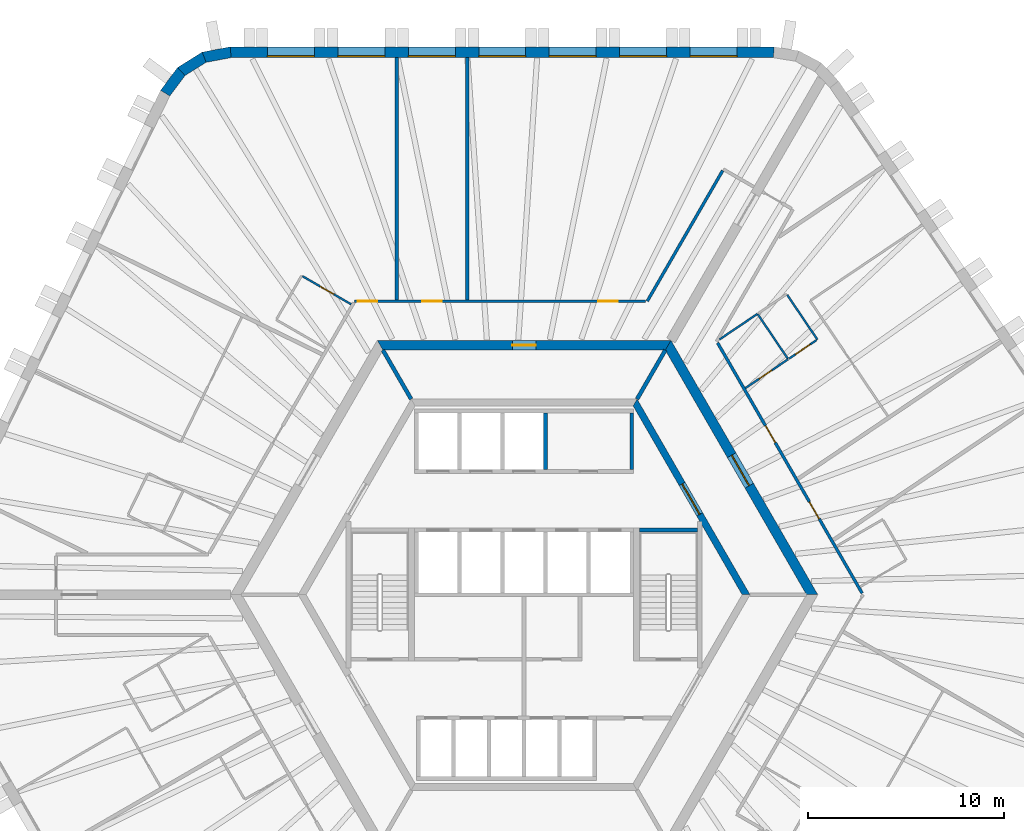
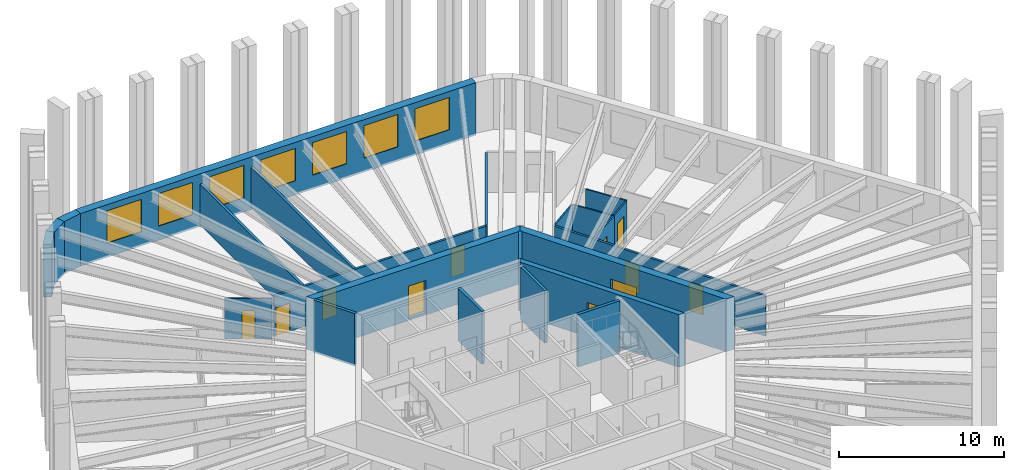
# One storey, part 8 of 10: 23 walls, 11 doors, 7 windows, 18 openings.
"""IFC4 building model written with IfcOpenShell, lengths in metres."""

from ifc_helpers import new_model, si_unit, direction, frame, frame_2d, origin, place, context, subcontext, project, spatial, polyline, rectangle, outline, extrude, material, layer, layer_set, type_object, element, fill, save


model = new_model("IFC4")

# Units and contexts
model_context = context("Model", 3, precision=1e-05, world=origin(), true_north=direction((0.0, 1.0)))
body_context = subcontext(model_context, "Body", "Model", "MODEL_VIEW")
ifc_project = project(units=[si_unit("LENGTHUNIT", "METRE"), si_unit("AREAUNIT", "SQUARE_METRE"), si_unit("VOLUMEUNIT", "CUBIC_METRE"), si_unit("PLANEANGLEUNIT", "RADIAN"), si_unit("MASSUNIT", "GRAM", prefix="KILO")], contexts=[model_context])

# Site, building, storey
site_placement = place(None, origin())
site = spatial("IfcSite", under=ifc_project, at=site_placement, CompositionType="ELEMENT")
building_placement = place(site_placement, origin())
building = spatial("IfcBuilding", under=site, at=building_placement, Name="Tarnside Tower", CompositionType="ELEMENT")
storey_placement = place(building_placement, frame((0.0, 0.0, 164.39990234375)))
storey = spatial("IfcBuildingStorey", under=building, at=storey_placement, Name="L38", CompositionType="ELEMENT", Elevation=164.39990234375)

# Wall, opening, door
ifc_material_1 = material(Name="Gypsum board partition on steel studs", Category="steel")
ifc_layer_1 = layer(ifc_material_1, 0.10009765625)
ifc_layer_set_1 = layer_set([ifc_layer_1], Name="Bathroom wall 100")
wall_type_1 = type_object("IfcWallType", Name="Bathroom wall 100", PredefinedType="PARTITIONING", material=ifc_layer_set_1)
wall_1_placement = place(storey_placement, frame((-11.32763671875, 16.280029296875, 0.0), z_axis=(0.0, 0.0, 1.0), x_axis=(0.865981939951, -0.500075274012, 0.0)))
wall_1 = element("IfcWall", 1, at=wall_1_placement, inside=storey, type_object=wall_type_1, Name="Bathroom wall 12049", PredefinedType="PARTITIONING", context=body_context, shape_type="SweptSolid", body=[
    extrude(rectangle(XDim=2.875, YDim=0.10009765625, at=frame_2d((1.4375, 0.0))), origin(), (0.0, 0.0, 1.0), 2.98779296875),
])
opening_1_placement = place(wall_1_placement, frame((1.050048828125, 0.0, 0.0)))
opening_1 = element("IfcOpeningElement", 2, at=opening_1_placement, cuts=wall_1, Name="Opening D-B1", PredefinedType="OPENING", context=body_context, shape_type="SweptSolid", body=[
    extrude(rectangle(XDim=0.800048828125, YDim=2.10009765625, at=frame_2d((0.39990234375, 1.050048828125))), frame((0.0, 0.06005859375, 0.0), z_axis=(0.0, -1.0, 0.0), x_axis=(1.0, 0.0, 0.0)), (0.0, 0.0, 1.0), 0.1201171875),
])
ifc_material_2 = material(Name="Timber door leaf", Category="wood")
door_type_1 = type_object("IfcDoorType", Name="Bathroom door 800", OperationType="NOTDEFINED", PredefinedType="DOOR", material=ifc_material_2)
door_1_placement = place(opening_1_placement, origin())
door_1 = element("IfcDoor", 3, at=door_1_placement, inside=storey, type_object=door_type_1, Name="Bathroom door 12004", OperationType="SINGLE_SWING_LEFT", OverallHeight=2.10009765625, OverallWidth=0.800048828125, PredefinedType="DOOR", context=body_context, shape_type="SweptSolid", body=[
    extrude(rectangle(XDim=0.800048828125, YDim=2.10009765625, at=frame_2d((0.39990234375, 1.050048828125))), frame((0.0, 0.02490234375, 0.0), z_axis=(0.0, -1.0, 0.0), x_axis=(1.0, 0.0, 0.0)), (0.0, 0.0, 1.0), 0.050048828125),
])
fill(opening_1, door_1)

# Wall
wall_2_placement = place(storey_placement, frame((9.985595703125, 13.045654296875, 0.0), z_axis=(0.0, 0.0, 1.0), x_axis=(0.829041811541, 0.559186618865, 0.0)))
element("IfcWall", 4, at=wall_2_placement, inside=storey, type_object=wall_type_1, Name="Bathroom wall 12105", PredefinedType="PARTITIONING", context=body_context, shape_type="SweptSolid", body=[
    extrude(rectangle(XDim=2.343994140625, YDim=0.10009765625, at=frame_2d((1.171875, 0.0))), origin(), (0.0, 0.0, 1.0), 2.98779296875),
])

# Wall, opening, door
wall_3_placement = place(storey_placement, frame((13.49462890625, 12.03515625, 0.0), z_axis=(0.0, 0.0, 1.0), x_axis=(-0.829031183816, -0.55920237505, 0.0)))
wall_3 = element("IfcWall", 5, at=wall_3_placement, inside=storey, type_object=wall_type_1, Name="Bathroom wall 12106", PredefinedType="PARTITIONING", context=body_context, shape_type="SweptSolid", body=[
    extrude(rectangle(XDim=2.6357421875, YDim=0.10009765625, at=frame_2d((1.31787109375, 0.0))), origin(), (0.0, 0.0, 1.0), 2.98779296875),
])
opening_2_placement = place(wall_3_placement, frame((1.0, 0.0, 0.0)))
opening_2 = element("IfcOpeningElement", 6, at=opening_2_placement, cuts=wall_3, Name="Opening D-B1", PredefinedType="OPENING", context=body_context, shape_type="SweptSolid", body=[
    extrude(rectangle(XDim=0.800048828125, YDim=2.10009765625, at=frame_2d((0.39990234375, 1.050048828125))), frame((0.0, 0.06005859375, 0.0), z_axis=(0.0, -1.0, 0.0), x_axis=(1.0, 0.0, 0.0)), (0.0, 0.0, 1.0), 0.1201171875),
])
door_2_placement = place(opening_2_placement, origin())
door_2 = element("IfcDoor", 7, at=door_2_placement, inside=storey, type_object=door_type_1, Name="Bathroom door 12032", OperationType="SINGLE_SWING_LEFT", OverallHeight=2.10009765625, OverallWidth=0.800048828125, PredefinedType="DOOR", context=body_context, shape_type="SweptSolid", body=[
    extrude(rectangle(XDim=0.800048828125, YDim=2.10009765625, at=frame_2d((0.39990234375, 1.050048828125))), frame((0.0, 0.02490234375, 0.0), z_axis=(0.0, -1.0, 0.0), x_axis=(1.0, 0.0, 0.0)), (0.0, 0.0, 1.0), 0.050048828125),
])
fill(opening_2, door_2)

# Wall
wall_4_placement = place(storey_placement, frame((13.466796875, 12.07666015625, 0.0), z_axis=(0.0, 0.0, 1.0), x_axis=(-0.559261631576, 0.828991210718, 0.0)))
element("IfcWall", 8, at=wall_4_placement, inside=storey, type_object=wall_type_1, Name="Bathroom wall 12113", PredefinedType="PARTITIONING", context=body_context, shape_type="SweptSolid", body=[
    extrude(rectangle(XDim=2.699951171875, YDim=0.10009765625, at=frame_2d((1.35009765625, 0.0))), origin(), (0.0, 0.0, 1.0), 2.98779296875),
])

# Wall, opening, door
ifc_material_3 = material(Name="Concrete C50/60", Category="concrete")
ifc_layer_2 = layer(ifc_material_3, 0.35009765625)
ifc_layer_set_2 = layer_set([ifc_layer_2], Name="Core block wall 350 C50/60")
wall_type_2 = type_object("IfcWallType", Name="Core block wall 350 C50/60", PredefinedType="SHEAR", material=ifc_layer_set_2)
wall_5_placement = place(storey_placement, frame((11.344970703125, 0.0, -0.14990234375), z_axis=(0.0, 0.0, 1.0), x_axis=(-0.499995046907, 0.866028263435, 0.0)))
wall_5 = element("IfcWall", 9, at=wall_5_placement, inside=storey, type_object=wall_type_2, Name="L38 core block wall face 6", PredefinedType="SHEAR", context=body_context, shape_type="SweptSolid", body=[
    extrude(outline(polyline([(-0.10107421875, -0.175048828125), (11.44580078125, -0.175048828125), (11.24365234375, 0.175048828125), (0.10107421875, 0.175048828125), (-0.10107421875, -0.175048828125)])), origin(), (0.0, 0.0, 1.0), 3.89990234375),
])
opening_3_placement = place(wall_5_placement, frame((4.74365234375, 0.0, 0.14990234375)))
opening_3 = element("IfcOpeningElement", 10, at=opening_3_placement, cuts=wall_5, Name="Opening CD-LOB", PredefinedType="OPENING", context=body_context, shape_type="SweptSolid", body=[
    extrude(rectangle(XDim=1.800048828125, YDim=2.39990234375, at=frame_2d((0.89990234375, 1.199951171875))), frame((0.0, 0.18505859375, 0.0), z_axis=(0.0, -1.0, 0.0), x_axis=(1.0, 0.0, 0.0)), (0.0, 0.0, 1.0), 0.3701171875),
])
ifc_material_4 = material(Name="Steel fire door", Category="steel")
door_type_2 = type_object("IfcDoorType", Name="Lobby double door FD30S 1800x2400", OperationType="NOTDEFINED", PredefinedType="DOOR", material=ifc_material_4)
door_3_placement = place(opening_3_placement, origin())
door_3 = element("IfcDoor", 11, at=door_3_placement, inside=storey, type_object=door_type_2, Name="L38 lobby block door P2", OperationType="DOUBLE_DOOR_SINGLE_SWING", OverallHeight=2.39990234375, OverallWidth=1.800048828125, PredefinedType="DOOR", context=body_context, shape_type="SweptSolid", body=[
    extrude(rectangle(XDim=1.800048828125, YDim=2.39990234375, at=frame_2d((0.89990234375, 1.199951171875))), frame((0.0, 0.02490234375, 0.0), z_axis=(0.0, -1.0, 0.0), x_axis=(1.0, 0.0, 0.0)), (0.0, 0.0, 1.0), 0.050048828125),
])
fill(opening_3, door_3)

ifc_material_5 = material(Name="Concrete C70/85", Category="concrete")
ifc_layer_3 = layer(ifc_material_5, 0.5)
ifc_layer_set_3 = layer_set([ifc_layer_3], Name="Core wall Z2 500 C70/85")
wall_type_3 = type_object("IfcWallType", Name="Core wall Z2 500 C70/85", PredefinedType="SHEAR", material=ifc_layer_set_3)
wall_6_placement = place(storey_placement, frame((14.722412109375, 0.0, -0.14990234375), z_axis=(0.0, 0.0, 1.0), x_axis=(-0.50000571537, 0.866022103989, 0.0)))
wall_6 = element("IfcWall", 12, at=wall_6_placement, inside=storey, type_object=wall_type_3, Name="L38 core wall face 6", PredefinedType="SHEAR", context=body_context, shape_type="SweptSolid", body=[
    extrude(outline(polyline([(-0.144287109375, -0.25), (14.86669921875, -0.25), (14.578125, 0.25), (0.144287109375, 0.25), (-0.144287109375, -0.25)])), origin(), (0.0, 0.0, 1.0), 3.89990234375),
])
opening_4_placement = place(wall_6_placement, frame((6.432373046875, 0.0, 0.14990234375)))
opening_4 = element("IfcOpeningElement", 13, at=opening_4_placement, cuts=wall_6, Name="Opening CD-LOB", PredefinedType="OPENING", context=body_context, shape_type="SweptSolid", body=[
    extrude(rectangle(XDim=1.800048828125, YDim=2.39990234375, at=frame_2d((0.89990234375, 1.199951171875))), frame((0.0, 0.260009765625, 0.0), z_axis=(0.0, -1.0, 0.0), x_axis=(1.0, 0.0, 0.0)), (0.0, 0.0, 1.0), 0.52001953125),
])
door_4_placement = place(opening_4_placement, origin())
door_4 = element("IfcDoor", 14, at=door_4_placement, inside=storey, type_object=door_type_2, Name="L38 core door P2", OperationType="DOUBLE_DOOR_SINGLE_SWING", OverallHeight=2.39990234375, OverallWidth=1.800048828125, PredefinedType="DOOR", context=body_context, shape_type="SweptSolid", body=[
    extrude(rectangle(XDim=1.800048828125, YDim=2.39990234375, at=frame_2d((0.89990234375, 1.199951171875))), frame((0.0, 0.02490234375, 0.0), z_axis=(0.0, -1.0, 0.0), x_axis=(1.0, 0.0, 0.0)), (0.0, 0.0, 1.0), 0.050048828125),
])
fill(opening_4, door_4)

wall_7_placement = place(storey_placement, frame((7.361083984375, 12.75, -0.14990234375), z_axis=(0.0, 0.0, 1.0), x_axis=(-1.0, 0.0, 0.0)))
wall_7 = element("IfcWall", 15, at=wall_7_placement, inside=storey, type_object=wall_type_3, Name="L38 core wall face 1", PredefinedType="SHEAR", context=body_context, shape_type="SweptSolid", body=[
    extrude(outline(polyline([(-0.144287109375, -0.25), (14.866455078125, -0.25), (14.577880859375, 0.25), (0.144287109375, 0.25), (-0.144287109375, -0.25)])), origin(), (0.0, 0.0, 1.0), 3.89990234375),
])
opening_5_placement = place(wall_7_placement, frame((6.76123046875, 0.0, 0.14990234375)))
opening_5 = element("IfcOpeningElement", 16, at=opening_5_placement, cuts=wall_7, Name="Opening CD-RSR", PredefinedType="OPENING", context=body_context, shape_type="SweptSolid", body=[
    extrude(rectangle(XDim=1.199951171875, YDim=2.39990234375, at=frame_2d((0.60009765625, 1.199951171875))), frame((0.0, 0.260009765625, 0.0), z_axis=(0.0, -1.0, 0.0), x_axis=(1.0, 0.0, 0.0)), (0.0, 0.0, 1.0), 0.52001953125),
])
door_type_3 = type_object("IfcDoorType", Name="Riser door FD60 1200x2400", OperationType="NOTDEFINED", PredefinedType="DOOR", material=ifc_material_4)
door_5_placement = place(opening_5_placement, origin())
door_5 = element("IfcDoor", 17, at=door_5_placement, inside=storey, type_object=door_type_3, Name="L38 core door S5", OperationType="SINGLE_SWING_LEFT", OverallHeight=2.39990234375, OverallWidth=1.199951171875, PredefinedType="DOOR", context=body_context, shape_type="SweptSolid", body=[
    extrude(rectangle(XDim=1.199951171875, YDim=2.39990234375, at=frame_2d((0.60009765625, 1.199951171875))), frame((0.0, 0.02490234375, 0.0), z_axis=(0.0, -1.0, 0.0), x_axis=(1.0, 0.0, 0.0)), (0.0, 0.0, 1.0), 0.050048828125),
])
fill(opening_5, door_5)

# Wall
ifc_layer_4 = layer(ifc_material_1, 0.14990234375)
ifc_layer_set_4 = layer_set([ifc_layer_4], Name="Corridor wall 150 EI 60")
wall_type_4 = type_object("IfcWallType", Name="Corridor wall 150 EI 60", PredefinedType="PARTITIONING", material=ifc_layer_set_4)
wall_8_placement = place(storey_placement, frame((10.148681640625, 21.677978515625, 0.0), z_axis=(0.0, 0.0, 1.0), x_axis=(-0.499993780622, -0.866028994514, 0.0)))
element("IfcWall", 18, at=wall_8_placement, inside=storey, type_object=wall_type_4, Name="Corridor wall 12002", PredefinedType="PARTITIONING", context=body_context, shape_type="SweptSolid", body=[
    extrude(rectangle(XDim=7.7109375, YDim=0.14990234375, at=frame_2d((3.85546875, 0.0))), origin(), (0.0, 0.0, 1.0), 2.98779296875),
])

# Wall, openings, doors
wall_9_placement = place(storey_placement, frame((6.20654296875, 15.0, 0.0), z_axis=(0.0, 0.0, 1.0), x_axis=(-1.0, 0.0, 0.0)))
wall_9 = element("IfcWall", 19, at=wall_9_placement, inside=storey, type_object=wall_type_4, Name="Corridor wall 12003", PredefinedType="PARTITIONING", context=body_context, shape_type="SweptSolid", body=[
    extrude(rectangle(XDim=14.86669921875, YDim=0.14990234375, at=frame_2d((7.433349609375, 0.0))), origin(), (0.0, 0.0, 1.0), 2.98779296875),
])
opening_6_placement = place(wall_9_placement, frame((1.42431640625, 0.0, 0.0)))
opening_6 = element("IfcOpeningElement", 20, at=opening_6_placement, cuts=wall_9, Name="Opening D-E1", PredefinedType="OPENING", context=body_context, shape_type="SweptSolid", body=[
    extrude(rectangle(XDim=1.0, YDim=2.10009765625, at=frame_2d((0.5, 1.050048828125))), frame((0.0, 0.0849609375, 0.0), z_axis=(0.0, -1.0, 0.0), x_axis=(1.0, 0.0, 0.0)), (0.0, 0.0, 1.0), 0.169921875),
])
opening_7_placement = place(wall_9_placement, frame((10.42431640625, 0.0, 0.0)))
opening_7 = element("IfcOpeningElement", 21, at=opening_7_placement, cuts=wall_9, Name="Opening D-E1", PredefinedType="OPENING", context=body_context, shape_type="SweptSolid", body=[
    extrude(rectangle(XDim=1.0, YDim=2.10009765625, at=frame_2d((0.5, 1.050048828125))), frame((0.0, 0.0849609375, 0.0), z_axis=(0.0, -1.0, 0.0), x_axis=(1.0, 0.0, 0.0)), (0.0, 0.0, 1.0), 0.169921875),
])
opening_8_placement = place(wall_9_placement, frame((13.716796875, 0.0, 0.0)))
opening_8 = element("IfcOpeningElement", 22, at=opening_8_placement, cuts=wall_9, Name="Opening D-E1", PredefinedType="OPENING", context=body_context, shape_type="SweptSolid", body=[
    extrude(rectangle(XDim=1.0, YDim=2.10009765625, at=frame_2d((0.5, 1.050048828125))), frame((0.0, 0.0849609375, 0.0), z_axis=(0.0, -1.0, 0.0), x_axis=(1.0, 0.0, 0.0)), (0.0, 0.0, 1.0), 0.169921875),
])
door_type_4 = type_object("IfcDoorType", Name="Unit entrance door 1000 FD30S", OperationType="NOTDEFINED", PredefinedType="DOOR", material=ifc_material_2)
door_6_placement = place(opening_6_placement, origin())
door_6 = element("IfcDoor", 23, at=door_6_placement, inside=storey, type_object=door_type_4, Name="Unit door 12001", OperationType="SINGLE_SWING_RIGHT", OverallHeight=2.10009765625, OverallWidth=1.0, PredefinedType="DOOR", context=body_context, shape_type="SweptSolid", body=[
    extrude(rectangle(XDim=1.0, YDim=2.10009765625, at=frame_2d((0.5, 1.050048828125))), frame((0.0, 0.02490234375, 0.0), z_axis=(0.0, -1.0, 0.0), x_axis=(1.0, 0.0, 0.0)), (0.0, 0.0, 1.0), 0.050048828125),
])
fill(opening_6, door_6)
door_7_placement = place(opening_7_placement, origin())
door_7 = element("IfcDoor", 24, at=door_7_placement, inside=storey, type_object=door_type_4, Name="Unit door 12002", OperationType="SINGLE_SWING_RIGHT", OverallHeight=2.10009765625, OverallWidth=1.0, PredefinedType="DOOR", context=body_context, shape_type="SweptSolid", body=[
    extrude(rectangle(XDim=1.0, YDim=2.10009765625, at=frame_2d((0.5, 1.050048828125))), frame((0.0, 0.02490234375, 0.0), z_axis=(0.0, -1.0, 0.0), x_axis=(1.0, 0.0, 0.0)), (0.0, 0.0, 1.0), 0.050048828125),
])
fill(opening_7, door_7)
door_8_placement = place(opening_8_placement, origin())
door_8 = element("IfcDoor", 25, at=door_8_placement, inside=storey, type_object=door_type_4, Name="Unit door 12003", OperationType="SINGLE_SWING_LEFT", OverallHeight=2.10009765625, OverallWidth=1.0, PredefinedType="DOOR", context=body_context, shape_type="SweptSolid", body=[
    extrude(rectangle(XDim=1.0, YDim=2.10009765625, at=frame_2d((0.5, 1.050048828125))), frame((0.0, 0.02490234375, 0.0), z_axis=(0.0, -1.0, 0.0), x_axis=(1.0, 0.0, 0.0)), (0.0, 0.0, 1.0), 0.050048828125),
])
fill(opening_8, door_8)

wall_10_placement = place(storey_placement, frame((17.277099609375, 0.074951171875, 0.0), z_axis=(0.0, 0.0, 1.0), x_axis=(-0.499988884089, 0.866031821464, 0.0)))
wall_10 = element("IfcWall", 26, at=wall_10_placement, inside=storey, type_object=wall_type_4, Name="Corridor wall 12035", PredefinedType="PARTITIONING", context=body_context, shape_type="SweptSolid", body=[
    extrude(rectangle(XDim=14.780029296875, YDim=0.14990234375, at=frame_2d((7.39013671875, 0.0))), origin(), (0.0, 0.0, 1.0), 2.98779296875),
])
opening_9_placement = place(wall_10_placement, frame((4.39306640625, 0.0, 0.0)))
opening_9 = element("IfcOpeningElement", 27, at=opening_9_placement, cuts=wall_10, Name="Opening D-E1", PredefinedType="OPENING", context=body_context, shape_type="SweptSolid", body=[
    extrude(rectangle(XDim=1.0, YDim=2.10009765625, at=frame_2d((0.5, 1.050048828125))), frame((0.0, 0.0849609375, 0.0), z_axis=(0.0, -1.0, 0.0), x_axis=(1.0, 0.0, 0.0)), (0.0, 0.0, 1.0), 0.169921875),
])
opening_10_placement = place(wall_10_placement, frame((8.885498046875, 0.0, 0.0)))
opening_10 = element("IfcOpeningElement", 28, at=opening_10_placement, cuts=wall_10, Name="Opening D-E1", PredefinedType="OPENING", context=body_context, shape_type="SweptSolid", body=[
    extrude(rectangle(XDim=1.0, YDim=2.10009765625, at=frame_2d((0.5, 1.050048828125))), frame((0.0, 0.0849609375, 0.0), z_axis=(0.0, -1.0, 0.0), x_axis=(1.0, 0.0, 0.0)), (0.0, 0.0, 1.0), 0.169921875),
])
door_9_placement = place(opening_9_placement, origin())
door_9 = element("IfcDoor", 29, at=door_9_placement, inside=storey, type_object=door_type_4, Name="Unit door 12030", OperationType="SINGLE_SWING_LEFT", OverallHeight=2.10009765625, OverallWidth=1.0, PredefinedType="DOOR", context=body_context, shape_type="SweptSolid", body=[
    extrude(rectangle(XDim=1.0, YDim=2.10009765625, at=frame_2d((0.5, 1.050048828125))), frame((0.0, 0.02490234375, 0.0), z_axis=(0.0, -1.0, 0.0), x_axis=(1.0, 0.0, 0.0)), (0.0, 0.0, 1.0), 0.050048828125),
])
fill(opening_9, door_9)
door_10_placement = place(opening_10_placement, origin())
door_10 = element("IfcDoor", 30, at=door_10_placement, inside=storey, type_object=door_type_4, Name="Unit door 12031", OperationType="SINGLE_SWING_RIGHT", OverallHeight=2.10009765625, OverallWidth=1.0, PredefinedType="DOOR", context=body_context, shape_type="SweptSolid", body=[
    extrude(rectangle(XDim=1.0, YDim=2.10009765625, at=frame_2d((0.5, 1.050048828125))), frame((0.0, 0.02490234375, 0.0), z_axis=(0.0, -1.0, 0.0), x_axis=(1.0, 0.0, 0.0)), (0.0, 0.0, 1.0), 0.050048828125),
])
fill(opening_10, door_10)

# Walls
ifc_layer_5 = layer(ifc_material_1, 0.179931640625)
ifc_layer_set_5 = layer_set([ifc_layer_5], Name="Demising wall 180 EI 60")
wall_type_5 = type_object("IfcWallType", Name="Demising wall 180 EI 60", PredefinedType="PARTITIONING", material=ifc_layer_set_5)
for number, where, z_axis, x_axis, name in (
    (31, (-2.91796875, 27.449951171875, 0.0), (0.0, 0.0, 1.0), (0.0, -1.0, 0.0), "Demising wall 12045"),
    (32, (-6.517822265625, 27.449951171875, 0.0), (0.0, 0.0, 1.0), (0.0, -1.0, 0.0), "Demising wall 12046"),
):
    element("IfcWall", number, at=place(storey_placement, frame(where, z_axis=z_axis, x_axis=x_axis)), inside=storey, type_object=wall_type_5, Name=name, PredefinedType="PARTITIONING", context=body_context, shape_type="SweptSolid", body=[
        extrude(rectangle(XDim=12.375, YDim=0.179931640625, at=frame_2d((6.1875, 0.0))), origin(), (0.0, 0.0, 1.0), 2.98779296875),
    ])
ifc_material_6 = material(Name="Concrete C40/50", Category="concrete")
ifc_layer_6 = layer(ifc_material_6, 0.199951171875)
ifc_layer_set_6 = layer_set([ifc_layer_6], Name="Lift shaft wall 200 C40/50")
wall_type_6 = type_object("IfcWallType", Name="Lift shaft wall 200 C40/50", PredefinedType="SHEAR", material=ifc_layer_set_6)
for number, where, z_axis, x_axis, name in (
    (33, (1.10009765625, 6.39990234375, -0.25), (0.0, 0.0, 1.0), (0.0, 1.0, 0.0), "L38 lift shaft partition R14"),
    (34, (5.5, 6.39990234375, -0.25), (0.0, 0.0, 1.0), (0.0, 1.0, 0.0), "L38 lift shaft partition R16"),
):
    element("IfcWall", number, at=place(storey_placement, frame(where, z_axis=z_axis, x_axis=x_axis)), inside=storey, type_object=wall_type_6, Name=name, PredefinedType="SHEAR", context=body_context, shape_type="SweptSolid", body=[
        extrude(rectangle(XDim=2.900146484375, YDim=0.199951171875, at=frame_2d((1.4501953125, 0.0))), origin(), (0.0, 0.0, 1.0), 3.900146484375),
    ])
for number, where, z_axis, x_axis, name in (
    (35, (5.7734375, 10.0, -0.14990234375), (0.0, 0.0, 1.0), (0.499995765644, 0.866027848477, 0.0), "L38 core partition AR60"),
    (36, (-5.7734375, 10.0, -0.14990234375), (0.0, 0.0, 1.0), (-0.499995765644, 0.866027848477, 0.0), "L38 core partition AR120"),
):
    element("IfcWall", number, at=place(storey_placement, frame(where, z_axis=z_axis, x_axis=x_axis)), inside=storey, type_object=wall_type_6, Name=name, PredefinedType="SHEAR", context=body_context, shape_type="SweptSolid", body=[
        extrude(rectangle(XDim=2.88671875, YDim=0.199951171875, at=frame_2d((1.443359375, 0.0))), origin(), (0.0, 0.0, 1.0), 3.89990234375),
    ])
wall_11_placement = place(storey_placement, frame((5.89990234375, 3.300048828125, -0.25), z_axis=(0.0, 0.0, 1.0), x_axis=(1.0, 0.0, 0.0)))
element("IfcWall", 37, at=wall_11_placement, inside=storey, type_object=wall_type_6, Name="L38 stair 1 enclosure cap wall n", PredefinedType="SHEAR", context=body_context, shape_type="SweptSolid", body=[
    extrude(rectangle(XDim=2.9501953125, YDim=0.199951171875, at=frame_2d((1.47509765625, 0.0))), origin(), (0.0, 0.0, 1.0), 3.900146484375),
])
ifc_layer_7 = layer(ifc_material_1, 0.10009765625)
ifc_layer_set_7 = layer_set([ifc_layer_7], Name="Partition 100")
wall_type_7 = type_object("IfcWallType", Name="Partition 100", PredefinedType="PARTITIONING", material=ifc_layer_set_7)
wall_12_placement = place(storey_placement, frame((13.44921875, 15.321533203125, 0.0), z_axis=(0.0, 0.0, 1.0), x_axis=(0.559158698756, -0.8290606429, 0.0)))
element("IfcWall", 38, at=wall_12_placement, inside=storey, type_object=wall_type_7, Name="Partition wall 12108", PredefinedType="PARTITIONING", context=body_context, shape_type="SweptSolid", body=[
    extrude(rectangle(XDim=2.749755859375, YDim=0.10009765625, at=frame_2d((1.375, 0.0))), origin(), (0.0, 0.0, 1.0), 2.98779296875),
])

# Wall, opening, door
wall_13_placement = place(storey_placement, frame((14.945556640625, 13.013671875, 0.0), z_axis=(0.0, 0.0, 1.0), x_axis=(-0.829033422808, -0.559199055675, 0.0)))
wall_13 = element("IfcWall", 39, at=wall_13_placement, inside=storey, type_object=wall_type_7, Name="Partition wall 12109", PredefinedType="PARTITIONING", context=body_context, shape_type="SweptSolid", body=[
    extrude(rectangle(XDim=1.7001953125, YDim=0.10009765625, at=frame_2d((0.85009765625, 0.0))), origin(), (0.0, 0.0, 1.0), 2.98779296875),
])
opening_11_placement = place(wall_13_placement, frame((0.39990234375, 0.0, 0.0)))
opening_11 = element("IfcOpeningElement", 40, at=opening_11_placement, cuts=wall_13, Name="Opening D-I1", PredefinedType="OPENING", context=body_context, shape_type="SweptSolid", body=[
    extrude(rectangle(XDim=0.89990234375, YDim=2.10009765625, at=frame_2d((0.449951171875, 1.050048828125))), frame((0.0, 0.06005859375, 0.0), z_axis=(0.0, -1.0, 0.0), x_axis=(1.0, 0.0, 0.0)), (0.0, 0.0, 1.0), 0.1201171875),
])
door_type_5 = type_object("IfcDoorType", Name="Internal door 900", OperationType="NOTDEFINED", PredefinedType="DOOR", material=ifc_material_2)
door_11_placement = place(opening_11_placement, origin())
door_11 = element("IfcDoor", 41, at=door_11_placement, inside=storey, type_object=door_type_5, Name="Internal door 12033", OperationType="SINGLE_SWING_RIGHT", OverallHeight=2.10009765625, OverallWidth=0.89990234375, PredefinedType="DOOR", context=body_context, shape_type="SweptSolid", body=[
    extrude(rectangle(XDim=0.89990234375, YDim=2.10009765625, at=frame_2d((0.449951171875, 1.050048828125))), frame((0.0, 0.02490234375, 0.0), z_axis=(0.0, -1.0, 0.0), x_axis=(1.0, 0.0, 0.0)), (0.0, 0.0, 1.0), 0.050048828125),
])
fill(opening_11, door_11)

# Wall, openings, windows
ifc_material_7 = material(Name="Facing brick", Category="masonry")
ifc_layer_8 = layer(ifc_material_7, 0.10205078125)
ifc_material_8 = material(Name="Concrete C60/75 precast", Category="concrete")
ifc_layer_9 = layer(ifc_material_8, 0.347900390625)
ifc_material_9 = material(Name="Mineral wool insulation")
ifc_layer_10 = layer(ifc_material_9, 0.10009765625)
ifc_layer_set_8 = layer_set([ifc_layer_8, ifc_layer_9, ifc_layer_10], Name="Tube wall 550 brick faced")
wall_type_8 = type_object("IfcWallType", Name="Tube wall 550 brick faced", PredefinedType="SOLIDWALL", material=ifc_layer_set_8)
wall_14_placement = place(storey_placement, frame((12.760986328125, 27.72509765625, -0.14990234375), z_axis=(0.0, 0.0, 1.0), x_axis=(-1.0, 0.0, 0.0)))
wall_14 = element("IfcWall", 42, at=wall_14_placement, inside=storey, type_object=wall_type_8, Name="Tube wall L38 F1 flush 00", PredefinedType="SOLIDWALL", context=body_context, shape_type="SweptSolid", body=[
    extrude(outline(polyline([(-0.0224609375, -0.27490234375), (27.783447265625, -0.27490234375), (27.732177734375, 0.27490234375), (0.0224609375, 0.27490234375), (-0.0224609375, -0.27490234375)])), origin(), (0.0, 0.0, 1.0), 3.89990234375),
])
opening_12_placement = place(wall_14_placement, frame((1.87890625, 0.0, 1.050048828125)))
opening_12 = element("IfcOpeningElement", 43, at=opening_12_placement, cuts=wall_14, Name="Opening WH", PredefinedType="OPENING", context=body_context, shape_type="SweptSolid", body=[
    extrude(rectangle(XDim=2.39990234375, YDim=2.39990234375, at=frame_2d((1.199951171875, 1.199951171875))), frame((0.0, 0.28515625, 0.0), z_axis=(0.0, -1.0, 0.0), x_axis=(1.0, 0.0, 0.0)), (0.0, 0.0, 1.0), 0.570068359375),
])
opening_13_placement = place(wall_14_placement, frame((5.47900390625, 0.0, 1.050048828125)))
opening_13 = element("IfcOpeningElement", 44, at=opening_13_placement, cuts=wall_14, Name="Opening WH", PredefinedType="OPENING", context=body_context, shape_type="SweptSolid", body=[
    extrude(rectangle(XDim=2.39990234375, YDim=2.39990234375, at=frame_2d((1.199951171875, 1.199951171875))), frame((0.0, 0.28515625, 0.0), z_axis=(0.0, -1.0, 0.0), x_axis=(1.0, 0.0, 0.0)), (0.0, 0.0, 1.0), 0.570068359375),
])
opening_14_placement = place(wall_14_placement, frame((9.078857421875, 0.0, 1.050048828125)))
opening_14 = element("IfcOpeningElement", 45, at=opening_14_placement, cuts=wall_14, Name="Opening WH", PredefinedType="OPENING", context=body_context, shape_type="SweptSolid", body=[
    extrude(rectangle(XDim=2.39990234375, YDim=2.39990234375, at=frame_2d((1.199951171875, 1.199951171875))), frame((0.0, 0.28515625, 0.0), z_axis=(0.0, -1.0, 0.0), x_axis=(1.0, 0.0, 0.0)), (0.0, 0.0, 1.0), 0.570068359375),
])
opening_15_placement = place(wall_14_placement, frame((12.678955078125, 0.0, 1.050048828125)))
opening_15 = element("IfcOpeningElement", 46, at=opening_15_placement, cuts=wall_14, Name="Opening WH", PredefinedType="OPENING", context=body_context, shape_type="SweptSolid", body=[
    extrude(rectangle(XDim=2.39990234375, YDim=2.39990234375, at=frame_2d((1.199951171875, 1.199951171875))), frame((0.0, 0.28515625, 0.0), z_axis=(0.0, -1.0, 0.0), x_axis=(1.0, 0.0, 0.0)), (0.0, 0.0, 1.0), 0.570068359375),
])
opening_16_placement = place(wall_14_placement, frame((16.27880859375, 0.0, 1.050048828125)))
opening_16 = element("IfcOpeningElement", 47, at=opening_16_placement, cuts=wall_14, Name="Opening WH", PredefinedType="OPENING", context=body_context, shape_type="SweptSolid", body=[
    extrude(rectangle(XDim=2.39990234375, YDim=2.39990234375, at=frame_2d((1.199951171875, 1.199951171875))), frame((0.0, 0.28515625, 0.0), z_axis=(0.0, -1.0, 0.0), x_axis=(1.0, 0.0, 0.0)), (0.0, 0.0, 1.0), 0.570068359375),
])
opening_17_placement = place(wall_14_placement, frame((19.87890625, 0.0, 1.050048828125)))
opening_17 = element("IfcOpeningElement", 48, at=opening_17_placement, cuts=wall_14, Name="Opening WH", PredefinedType="OPENING", context=body_context, shape_type="SweptSolid", body=[
    extrude(rectangle(XDim=2.39990234375, YDim=2.39990234375, at=frame_2d((1.199951171875, 1.199951171875))), frame((0.0, 0.28515625, 0.0), z_axis=(0.0, -1.0, 0.0), x_axis=(1.0, 0.0, 0.0)), (0.0, 0.0, 1.0), 0.570068359375),
])
opening_18_placement = place(wall_14_placement, frame((23.47900390625, 0.0, 1.050048828125)))
opening_18 = element("IfcOpeningElement", 49, at=opening_18_placement, cuts=wall_14, Name="Opening WH", PredefinedType="OPENING", context=body_context, shape_type="SweptSolid", body=[
    extrude(rectangle(XDim=2.39990234375, YDim=2.39990234375, at=frame_2d((1.199951171875, 1.199951171875))), frame((0.0, 0.28515625, 0.0), z_axis=(0.0, -1.0, 0.0), x_axis=(1.0, 0.0, 0.0)), (0.0, 0.0, 1.0), 0.570068359375),
])
ifc_material_10 = material(Name="Aluminium-framed double glazing", Category="aluminium")
window_type = type_object("IfcWindowType", Name="Hotel window 2400 x 2400", PartitioningType="DOUBLE_PANEL_VERTICAL", PredefinedType="WINDOW", material=ifc_material_10)
window_1_placement = place(opening_12_placement, frame((0.0, 0.205078125, 0.0)))
window_1 = element("IfcWindow", 50, at=window_1_placement, inside=storey, type_object=window_type, Name="E.WN.L38.F1.00", OverallHeight=2.39990234375, OverallWidth=2.39990234375, PartitioningType="DOUBLE_PANEL_VERTICAL", PredefinedType="WINDOW", context=body_context, shape_type="SweptSolid", body=[
    extrude(rectangle(XDim=2.39990234375, YDim=2.39990234375, at=frame_2d((1.199951171875, 1.199951171875))), frame((0.0, 0.030029296875, 0.0), z_axis=(0.0, -1.0, 0.0), x_axis=(1.0, 0.0, 0.0)), (0.0, 0.0, 1.0), 0.06005859375),
])
fill(opening_12, window_1)
window_2_placement = place(opening_13_placement, frame((0.0, 0.205078125, 0.0)))
window_2 = element("IfcWindow", 51, at=window_2_placement, inside=storey, type_object=window_type, Name="E.WN.L38.F1.01", OverallHeight=2.39990234375, OverallWidth=2.39990234375, PartitioningType="DOUBLE_PANEL_VERTICAL", PredefinedType="WINDOW", context=body_context, shape_type="SweptSolid", body=[
    extrude(rectangle(XDim=2.39990234375, YDim=2.39990234375, at=frame_2d((1.199951171875, 1.199951171875))), frame((0.0, 0.030029296875, 0.0), z_axis=(0.0, -1.0, 0.0), x_axis=(1.0, 0.0, 0.0)), (0.0, 0.0, 1.0), 0.06005859375),
])
fill(opening_13, window_2)
window_3_placement = place(opening_14_placement, frame((0.0, 0.205078125, 0.0)))
window_3 = element("IfcWindow", 52, at=window_3_placement, inside=storey, type_object=window_type, Name="E.WN.L38.F1.02", OverallHeight=2.39990234375, OverallWidth=2.39990234375, PartitioningType="DOUBLE_PANEL_VERTICAL", PredefinedType="WINDOW", context=body_context, shape_type="SweptSolid", body=[
    extrude(rectangle(XDim=2.39990234375, YDim=2.39990234375, at=frame_2d((1.199951171875, 1.199951171875))), frame((0.0, 0.030029296875, 0.0), z_axis=(0.0, -1.0, 0.0), x_axis=(1.0, 0.0, 0.0)), (0.0, 0.0, 1.0), 0.06005859375),
])
fill(opening_14, window_3)
window_4_placement = place(opening_15_placement, frame((0.0, 0.205078125, 0.0)))
window_4 = element("IfcWindow", 53, at=window_4_placement, inside=storey, type_object=window_type, Name="E.WN.L38.F1.03", OverallHeight=2.39990234375, OverallWidth=2.39990234375, PartitioningType="DOUBLE_PANEL_VERTICAL", PredefinedType="WINDOW", context=body_context, shape_type="SweptSolid", body=[
    extrude(rectangle(XDim=2.39990234375, YDim=2.39990234375, at=frame_2d((1.199951171875, 1.199951171875))), frame((0.0, 0.030029296875, 0.0), z_axis=(0.0, -1.0, 0.0), x_axis=(1.0, 0.0, 0.0)), (0.0, 0.0, 1.0), 0.06005859375),
])
fill(opening_15, window_4)
window_5_placement = place(opening_16_placement, frame((0.0, 0.205078125, 0.0)))
window_5 = element("IfcWindow", 54, at=window_5_placement, inside=storey, type_object=window_type, Name="E.WN.L38.F1.04", OverallHeight=2.39990234375, OverallWidth=2.39990234375, PartitioningType="DOUBLE_PANEL_VERTICAL", PredefinedType="WINDOW", context=body_context, shape_type="SweptSolid", body=[
    extrude(rectangle(XDim=2.39990234375, YDim=2.39990234375, at=frame_2d((1.199951171875, 1.199951171875))), frame((0.0, 0.030029296875, 0.0), z_axis=(0.0, -1.0, 0.0), x_axis=(1.0, 0.0, 0.0)), (0.0, 0.0, 1.0), 0.06005859375),
])
fill(opening_16, window_5)
window_6_placement = place(opening_17_placement, frame((0.0, 0.205078125, 0.0)))
window_6 = element("IfcWindow", 55, at=window_6_placement, inside=storey, type_object=window_type, Name="E.WN.L38.F1.05", OverallHeight=2.39990234375, OverallWidth=2.39990234375, PartitioningType="DOUBLE_PANEL_VERTICAL", PredefinedType="WINDOW", context=body_context, shape_type="SweptSolid", body=[
    extrude(rectangle(XDim=2.39990234375, YDim=2.39990234375, at=frame_2d((1.199951171875, 1.199951171875))), frame((0.0, 0.030029296875, 0.0), z_axis=(0.0, -1.0, 0.0), x_axis=(1.0, 0.0, 0.0)), (0.0, 0.0, 1.0), 0.06005859375),
])
fill(opening_17, window_6)
window_7_placement = place(opening_18_placement, frame((0.0, 0.205078125, 0.0)))
window_7 = element("IfcWindow", 56, at=window_7_placement, inside=storey, type_object=window_type, Name="E.WN.L38.F1.06", OverallHeight=2.39990234375, OverallWidth=2.39990234375, PartitioningType="DOUBLE_PANEL_VERTICAL", PredefinedType="WINDOW", context=body_context, shape_type="SweptSolid", body=[
    extrude(rectangle(XDim=2.39990234375, YDim=2.39990234375, at=frame_2d((1.199951171875, 1.199951171875))), frame((0.0, 0.030029296875, 0.0), z_axis=(0.0, -1.0, 0.0), x_axis=(1.0, 0.0, 0.0)), (0.0, 0.0, 1.0), 0.06005859375),
])
fill(opening_18, window_7)

# Walls
wall_15_placement = place(storey_placement, frame((-14.996826171875, 27.72509765625, -0.14990234375), z_axis=(0.0, 0.0, 1.0), x_axis=(-0.982705443133, -0.185175624845, 0.0)))
element("IfcWall", 57, at=wall_15_placement, inside=storey, type_object=wall_type_8, Name="Tube wall L38 F1 chord 01", PredefinedType="SOLIDWALL", context=body_context, shape_type="SweptSolid", body=[
    extrude(outline(polyline([(-0.025634765625, -0.27490234375), (1.430908203125, -0.27490234375), (1.327392578125, 0.27490234375), (0.025634765625, 0.27490234375), (-0.025634765625, -0.27490234375)])), origin(), (0.0, 0.0, 1.0), 3.89990234375),
])
wall_16_placement = place(storey_placement, frame((-16.35205078125, 27.4697265625, -0.14990234375), z_axis=(0.0, 0.0, 1.0), x_axis=(-0.848057977594, -0.5299034503, 0.0)))
element("IfcWall", 58, at=wall_16_placement, inside=storey, type_object=wall_type_8, Name="Tube wall L38 F1 chord 02", PredefinedType="SOLIDWALL", context=body_context, shape_type="SweptSolid", body=[
    extrude(outline(polyline([(-0.0517578125, -0.27490234375), (1.4306640625, -0.27490234375), (1.3271484375, 0.27490234375), (0.0517578125, 0.27490234375), (-0.0517578125, -0.27490234375)])), origin(), (0.0, 0.0, 1.0), 3.89990234375),
])
wall_17_placement = place(storey_placement, frame((-17.521484375, 26.739013671875, -0.14990234375), z_axis=(0.0, 0.0, 1.0), x_axis=(-0.597135295884, -0.802140535324, 0.0)))
element("IfcWall", 59, at=wall_17_placement, inside=storey, type_object=wall_type_8, Name="Tube wall L38 F1 chord 03", PredefinedType="SOLIDWALL", context=body_context, shape_type="SweptSolid", body=[
    extrude(outline(polyline([(-0.0517578125, -0.27490234375), (1.40478515625, -0.27490234375), (1.353515625, 0.27490234375), (0.0517578125, 0.27490234375), (-0.0517578125, -0.27490234375)])), origin(), (0.0, 0.0, 1.0), 3.89990234375),
])

save(model, "model.ifc")
